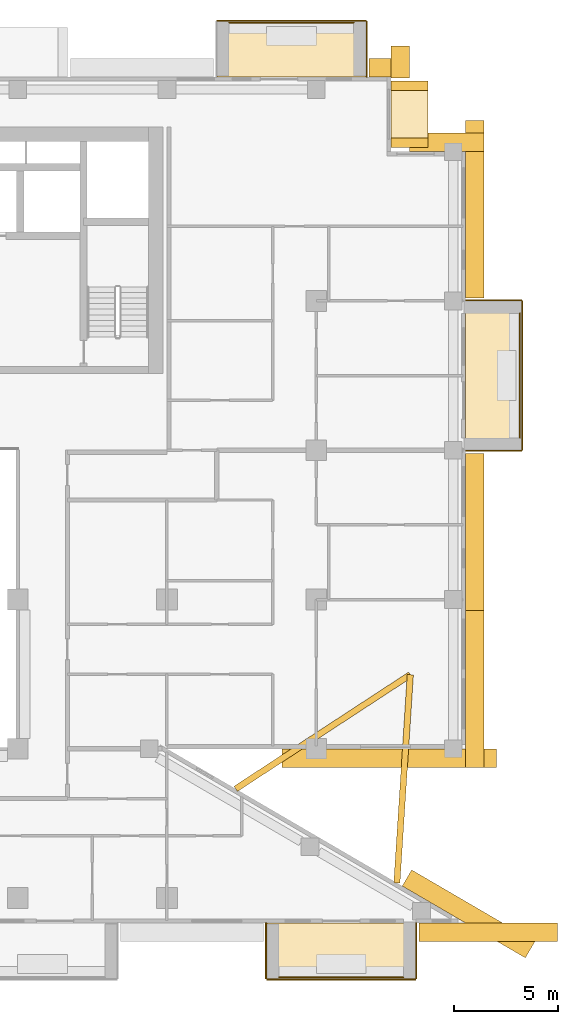
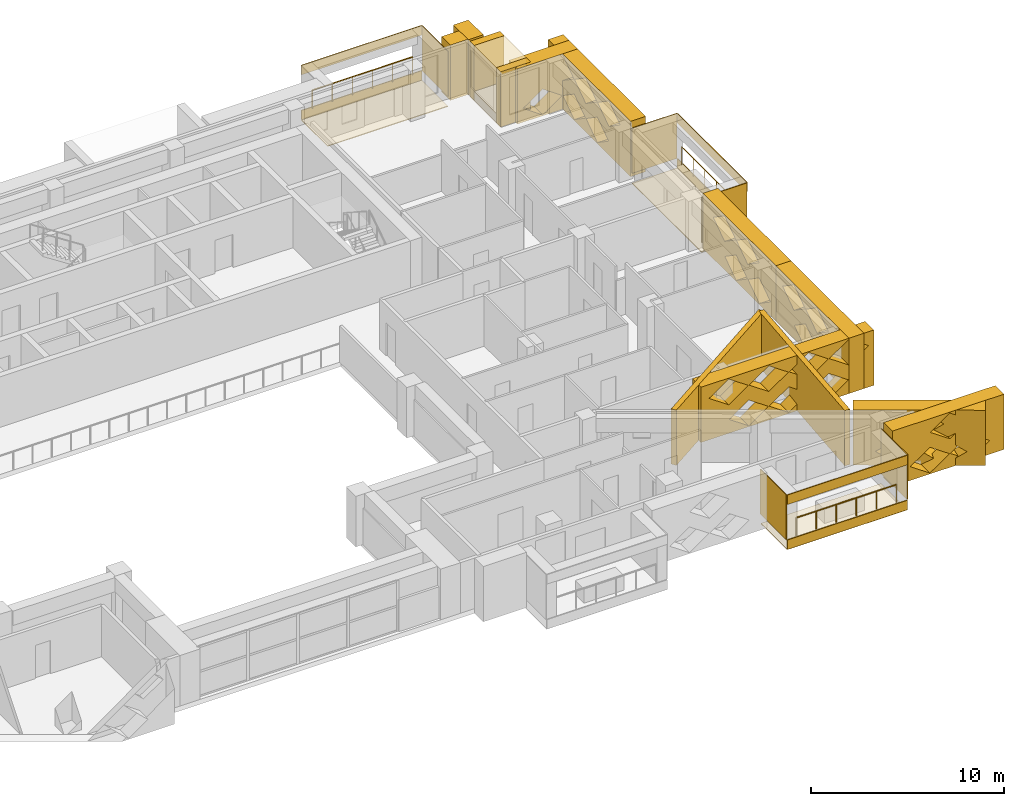
# One storey, part 20 of 20: 29 coverings, 3 railings.
"""IFC4 building model written with IfcOpenShell, lengths in metres."""

from ifc_helpers import new_model, si_unit, direction, frame, origin, origin_2d, place, context, subcontext, project, spatial, polyline, circle, outline, extrude, material, layer, layer_set, type_object, element, save


model = new_model("IFC4")

# Units and contexts
model_context = context("Model", 3, precision=1e-05, world=origin(), true_north=direction((0.0, 1.0)))
body_context = subcontext(model_context, "Body", "Model", "MODEL_VIEW")
ifc_project = project(units=[si_unit("LENGTHUNIT", "METRE"), si_unit("AREAUNIT", "SQUARE_METRE"), si_unit("VOLUMEUNIT", "CUBIC_METRE"), si_unit("PLANEANGLEUNIT", "RADIAN"), si_unit("MASSUNIT", "GRAM", prefix="KILO")], contexts=[model_context])

# Site, building, storey
site_placement = place(None, origin())
site = spatial("IfcSite", under=ifc_project, at=site_placement, CompositionType="ELEMENT")
building_placement = place(site_placement, origin())
building = spatial("IfcBuilding", under=site, at=building_placement, Name="Saffron Iwan Residences", CompositionType="ELEMENT")
storey_placement = place(building_placement, frame((0.0, 0.0, 171.0)))
storey = spatial("IfcBuildingStorey", under=building, at=storey_placement, Name="L45", CompositionType="ELEMENT", Elevation=171.0)

# Railings
ifc_material_1 = material(Name="Stainless steel 316", Category="steel")
railing_type = type_object("IfcRailingType", Name="BALCONY GUARD 1150", PredefinedType="GUARDRAIL", material=ifc_material_1)
railing_1_placement = place(storey_placement, frame((89.02490234375, 63.0, 0.0)))
element("IfcRailing", 1, at=railing_1_placement, inside=storey, type_object=railing_type, Name="Balcony guard L45 F2-0", PredefinedType="GUARDRAIL", context=body_context, shape_type="SweptSolid", body=[
    extrude(circle(Radius=0.02392578125, at=origin_2d()), frame((0.0, 0.0, 1.1259765625), z_axis=(0.0, 1.0, 0.0), x_axis=(-1.0, 0.0, 0.0)), (0.0, 0.0, 1.0), 6.0),
    extrude(circle(Radius=0.02099609375, at=origin_2d()), origin(), (0.0, 0.0, 1.0), 1.101806640625),
    extrude(circle(Radius=0.02099609375, at=origin_2d()), frame((0.0, 1.199951171875, 0.0)), (0.0, 0.0, 1.0), 1.101806640625),
    extrude(circle(Radius=0.02099609375, at=origin_2d()), frame((0.0, 2.39990234375, 0.0)), (0.0, 0.0, 1.0), 1.101806640625),
    extrude(circle(Radius=0.02099609375, at=origin_2d()), frame((0.0, 3.60009765625, 0.0)), (0.0, 0.0, 1.0), 1.101806640625),
    extrude(circle(Radius=0.02099609375, at=origin_2d()), frame((0.0, 4.800048828125, 0.0)), (0.0, 0.0, 1.0), 1.101806640625),
    extrude(circle(Radius=0.02099609375, at=origin_2d()), frame((0.0, 6.0, 0.0)), (0.0, 0.0, 1.0), 1.101806640625),
])
railing_2_placement = place(storey_placement, frame((81.0, 83.02490234375, 0.0)))
element("IfcRailing", 2, at=railing_2_placement, inside=storey, type_object=railing_type, Name="Balcony guard L45 F5-0", PredefinedType="GUARDRAIL", context=body_context, shape_type="SweptSolid", body=[
    extrude(circle(Radius=0.02392578125, at=origin_2d()), frame((0.0, 0.0, 1.1259765625), z_axis=(-1.0, 0.0, 0.0), x_axis=(0.0, -1.0, 0.0)), (0.0, 0.0, 1.0), 6.0),
    extrude(circle(Radius=0.02099609375, at=origin_2d()), origin(), (0.0, 0.0, 1.0), 1.101806640625),
    extrude(circle(Radius=0.02099609375, at=origin_2d()), frame((-1.199951171875, 0.0, 0.0)), (0.0, 0.0, 1.0), 1.101806640625),
    extrude(circle(Radius=0.02099609375, at=origin_2d()), frame((-2.39990234375, 0.0, 0.0)), (0.0, 0.0, 1.0), 1.101806640625),
    extrude(circle(Radius=0.02099609375, at=origin_2d()), frame((-3.60009765625, 0.0, 0.0)), (0.0, 0.0, 1.0), 1.101806640625),
    extrude(circle(Radius=0.02099609375, at=origin_2d()), frame((-4.800048828125, 0.0, 0.0)), (0.0, 0.0, 1.0), 1.101806640625),
    extrude(circle(Radius=0.02099609375, at=origin_2d()), frame((-6.0, 0.0, 0.0)), (0.0, 0.0, 1.0), 1.101806640625),
])
railing_3_placement = place(storey_placement, frame((77.39990234375, 36.97509765625, 0.0)))
element("IfcRailing", 3, at=railing_3_placement, inside=storey, type_object=railing_type, Name="Balcony guard L45 11-3", PredefinedType="GUARDRAIL", context=body_context, shape_type="SweptSolid", body=[
    extrude(circle(Radius=0.02392578125, at=origin_2d()), frame((0.0, 0.0, 1.1259765625), z_axis=(1.0, 0.0, 0.0), x_axis=(0.0, 1.0, 0.0)), (0.0, 0.0, 1.0), 6.0),
    extrude(circle(Radius=0.02099609375, at=origin_2d()), origin(), (0.0, 0.0, 1.0), 1.101806640625),
    extrude(circle(Radius=0.02099609375, at=origin_2d()), frame((1.199951171875, 0.0, 0.0)), (0.0, 0.0, 1.0), 1.101806640625),
    extrude(circle(Radius=0.02099609375, at=origin_2d()), frame((2.39990234375, 0.0, 0.0)), (0.0, 0.0, 1.0), 1.101806640625),
    extrude(circle(Radius=0.02099609375, at=origin_2d()), frame((3.60009765625, 0.0, 0.0)), (0.0, 0.0, 1.0), 1.101806640625),
    extrude(circle(Radius=0.02099609375, at=origin_2d()), frame((4.800048828125, 0.0, 0.0)), (0.0, 0.0, 1.0), 1.101806640625),
    extrude(circle(Radius=0.02099609375, at=origin_2d()), frame((6.0, 0.0, 0.0)), (0.0, 0.0, 1.0), 1.101806640625),
])

# Coverings
ifc_material_2 = material(Name="Precast concrete C40/50 white painted", Category="concrete")
ifc_layer_1 = layer(ifc_material_2, 0.050048828125)
ifc_layer_set_1 = layer_set([ifc_layer_1], Name="Precast concrete C40/50 white painted")
covering_type_1 = type_object("IfcCoveringType", Name="FRAME SKIN PRECAST WHITE 50", PredefinedType="CLADDING", material=ifc_layer_set_1)
for number, where, name in (
    (4, (0.0, 0.0, -0.60009765625), "Frame skin slab edge L45 F2-0"),
    (5, (0.0, 0.0, 2.25), "Frame skin fascia L45 F2-0"),
):
    element("IfcCovering", number, at=place(storey_placement, frame(where)), inside=storey, type_object=covering_type_1, Name=name, PredefinedType="CLADDING", context=body_context, shape_type="SweptSolid", body=[
        extrude(outline(polyline([(89.14990234375, 62.39990234375), (89.14990234375, 69.60009765625), (89.10009765625, 69.60009765625), (89.10009765625, 62.39990234375), (89.14990234375, 62.39990234375)])), origin(), (0.0, 0.0, 1.0), 0.60009765625),
    ])
covering_1_placement = place(storey_placement, frame((0.0, 0.0, -0.64990234375)))
element("IfcCovering", 6, at=covering_1_placement, inside=storey, type_object=covering_type_1, Name="Frame skin soffit L45 F2-0", PredefinedType="CLADDING", context=body_context, shape_type="SweptSolid", body=[
    extrude(outline(polyline([(89.10009765625, 62.39990234375), (89.10009765625, 69.60009765625), (86.39990234375, 69.60009765625), (86.39990234375, 62.39990234375), (89.10009765625, 62.39990234375)])), origin(), (0.0, 0.0, 1.0), 0.0498046875),
])
covering_2_placement = place(storey_placement, origin())
element("IfcCovering", 7, at=covering_2_placement, inside=storey, type_object=covering_type_1, Name="Frame skin fin L45 F2-0a", PredefinedType="CLADDING", context=body_context, shape_type="SweptSolid", body=[
    extrude(outline(polyline([(89.10009765625, 62.35009765625), (89.10009765625, 62.39990234375), (86.39990234375, 62.39990234375), (86.39990234375, 62.35009765625), (89.10009765625, 62.35009765625)])), origin(), (0.0, 0.0, 1.0), 2.85009765625),
])
covering_3_placement = place(storey_placement, origin())
element("IfcCovering", 8, at=covering_3_placement, inside=storey, type_object=covering_type_1, Name="Frame skin fin L45 F2-0b", PredefinedType="CLADDING", context=body_context, shape_type="SweptSolid", body=[
    extrude(outline(polyline([(89.10009765625, 69.60009765625), (89.10009765625, 69.64990234375), (86.39990234375, 69.64990234375), (86.39990234375, 69.60009765625), (89.10009765625, 69.60009765625)])), origin(), (0.0, 0.0, 1.0), 2.85009765625),
])
for number, where, name in (
    (9, (0.0, 0.0, -0.60009765625), "Frame skin slab edge L45 F5-0"),
    (10, (0.0, 0.0, 2.25), "Frame skin fascia L45 F5-0"),
):
    element("IfcCovering", number, at=place(storey_placement, frame(where)), inside=storey, type_object=covering_type_1, Name=name, PredefinedType="CLADDING", context=body_context, shape_type="SweptSolid", body=[
        extrude(outline(polyline([(81.60009765625, 83.14990234375), (74.39990234375, 83.14990234375), (74.39990234375, 83.10009765625), (81.60009765625, 83.10009765625), (81.60009765625, 83.14990234375)])), origin(), (0.0, 0.0, 1.0), 0.60009765625),
    ])
covering_4_placement = place(storey_placement, frame((0.0, 0.0, -0.64990234375)))
element("IfcCovering", 11, at=covering_4_placement, inside=storey, type_object=covering_type_1, Name="Frame skin soffit L45 F5-0", PredefinedType="CLADDING", context=body_context, shape_type="SweptSolid", body=[
    extrude(outline(polyline([(81.60009765625, 83.10009765625), (74.39990234375, 83.10009765625), (74.39990234375, 80.39990234375), (81.60009765625, 80.39990234375), (81.60009765625, 83.10009765625)])), origin(), (0.0, 0.0, 1.0), 0.0498046875),
])
covering_5_placement = place(storey_placement, origin())
element("IfcCovering", 12, at=covering_5_placement, inside=storey, type_object=covering_type_1, Name="Frame skin fin L45 F5-0a", PredefinedType="CLADDING", context=body_context, shape_type="SweptSolid", body=[
    extrude(outline(polyline([(81.64990234375, 83.10009765625), (81.60009765625, 83.10009765625), (81.60009765625, 80.39990234375), (81.64990234375, 80.39990234375), (81.64990234375, 83.10009765625)])), origin(), (0.0, 0.0, 1.0), 2.85009765625),
])
for number, where, name in (
    (13, (0.0, 0.0, -0.60009765625), "Frame skin slab edge L45 11-3"),
    (14, (0.0, 0.0, 2.25), "Frame skin fascia L45 11-3"),
):
    element("IfcCovering", number, at=place(storey_placement, frame(where)), inside=storey, type_object=covering_type_1, Name=name, PredefinedType="CLADDING", context=body_context, shape_type="SweptSolid", body=[
        extrude(outline(polyline([(76.800048828125, 36.85009765625), (84.0, 36.85009765625), (84.0, 36.89990234375), (76.800048828125, 36.89990234375), (76.800048828125, 36.85009765625)])), origin(), (0.0, 0.0, 1.0), 0.60009765625),
    ])
covering_6_placement = place(storey_placement, frame((0.0, 0.0, -0.64990234375)))
element("IfcCovering", 15, at=covering_6_placement, inside=storey, type_object=covering_type_1, Name="Frame skin soffit L45 11-3", PredefinedType="CLADDING", context=body_context, shape_type="SweptSolid", body=[
    extrude(outline(polyline([(76.800048828125, 36.89990234375), (84.0, 36.89990234375), (84.0, 39.60009765625), (76.800048828125, 39.60009765625), (76.800048828125, 36.89990234375)])), origin(), (0.0, 0.0, 1.0), 0.0498046875),
])
covering_7_placement = place(storey_placement, origin())
element("IfcCovering", 16, at=covering_7_placement, inside=storey, type_object=covering_type_1, Name="Frame skin fin L45 11-3a", PredefinedType="CLADDING", context=body_context, shape_type="SweptSolid", body=[
    extrude(outline(polyline([(76.75, 36.89990234375), (76.800048828125, 36.89990234375), (76.800048828125, 39.60009765625), (76.75, 39.60009765625), (76.75, 36.89990234375)])), origin(), (0.0, 0.0, 1.0), 2.85009765625),
])
covering_8_placement = place(storey_placement, origin())
element("IfcCovering", 17, at=covering_8_placement, inside=storey, type_object=covering_type_1, Name="Frame skin fin L45 11-3b", PredefinedType="CLADDING", context=body_context, shape_type="SweptSolid", body=[
    extrude(outline(polyline([(84.0, 36.89990234375), (84.050048828125, 36.89990234375), (84.050048828125, 39.60009765625), (84.0, 39.60009765625), (84.0, 36.89990234375)])), origin(), (0.0, 0.0, 1.0), 2.85009765625),
])
ifc_material_3 = material(Name="Precast concrete C40/50", Category="concrete")
covering_type_2 = type_object("IfcCoveringType", Name="OUTER SKIN LATTICE SCREEN", PredefinedType="CLADDING", material=ifc_material_3)
covering_9_placement = place(storey_placement, frame((89.283935546875, 37.917724609375, -0.300048828125), z_axis=(0.503803550485, 0.863818257806, 0.0), x_axis=(-0.863818257806, 0.503803550485, 0.0)))
element("IfcCovering", 18, at=covering_9_placement, inside=storey, type_object=covering_type_2, Name="OUTER SKIN lattice screen L45 F0.0", PredefinedType="CLADDING", context=body_context, shape_type="SweptSolid", body=[
    extrude(outline(polyline([(0.0, 0.0), (6.874267578125, 0.0), (6.874267578125, 3.5), (0.0, 3.5), (0.0, 0.0)]), holes=[polyline([(0.958740234375, 0.875), (2.138671875, 0.06005859375), (3.318603515625, 0.875), (2.138671875, 1.68994140625), (0.958740234375, 0.875)]), polyline([(3.358642578125, 0.875), (4.538818359375, 0.06005859375), (5.71875, 0.875), (4.538818359375, 1.68994140625), (3.358642578125, 0.875)]), polyline([(2.15869140625, 2.625), (3.338623046875, 1.81005859375), (4.518798828125, 2.625), (3.338623046875, 3.43994140625), (2.15869140625, 2.625)])]), origin(), (0.0, 0.0, 1.0), 0.89990234375),
])
covering_10_placement = place(storey_placement, frame((77.538818359375, 48.0, -0.300048828125), z_axis=(0.0, -1.0, 0.0), x_axis=(1.0, 0.0, 0.0)))
element("IfcCovering", 19, at=covering_10_placement, inside=storey, type_object=covering_type_2, Name="OUTER SKIN lattice screen L45 F1.0", PredefinedType="CLADDING", context=body_context, shape_type="SweptSolid", body=[
    extrude(outline(polyline([(0.0, 0.0), (10.361328125, 0.0), (10.361328125, 3.5), (0.0, 3.5), (0.0, 0.0)]), holes=[polyline([(1.681396484375, 0.875), (2.861328125, 0.06005859375), (4.041259765625, 0.875), (2.861328125, 1.68994140625), (1.681396484375, 0.875)]), polyline([(4.081298828125, 0.875), (5.26123046875, 0.06005859375), (6.44140625, 0.875), (5.26123046875, 1.68994140625), (4.081298828125, 0.875)]), polyline([(6.481201171875, 0.875), (7.661376953125, 0.06005859375), (8.84130859375, 0.875), (7.661376953125, 1.68994140625), (6.481201171875, 0.875)]), polyline([(0.481201171875, 2.625), (1.661376953125, 1.81005859375), (2.84130859375, 2.625), (1.661376953125, 3.43994140625), (0.481201171875, 2.625)]), polyline([(2.88134765625, 2.625), (4.061279296875, 1.81005859375), (5.2412109375, 2.625), (4.061279296875, 3.43994140625), (2.88134765625, 2.625)]), polyline([(5.28125, 2.625), (6.461181640625, 1.81005859375), (7.641357421875, 2.625), (6.461181640625, 3.43994140625), (5.28125, 2.625)]), polyline([(7.681396484375, 2.625), (8.861328125, 1.81005859375), (10.041259765625, 2.625), (8.861328125, 3.43994140625), (7.681396484375, 2.625)])]), origin(), (0.0, 0.0, 1.0), 0.89990234375),
])
covering_11_placement = place(storey_placement, frame((86.39990234375, 47.10009765625, -0.300048828125), z_axis=(1.0, 0.0, 0.0), x_axis=(0.0, 1.0, 0.0)))
element("IfcCovering", 20, at=covering_11_placement, inside=storey, type_object=covering_type_2, Name="OUTER SKIN lattice screen L45 F2.0", PredefinedType="CLADDING", context=body_context, shape_type="SweptSolid", body=[
    extrude(outline(polyline([(0.0, 0.0), (7.574951171875, 0.0), (7.574951171875, 3.5), (0.0, 3.5), (0.0, 0.0)]), holes=[polyline([(0.919921875, 0.875), (2.10009765625, 0.06005859375), (3.280029296875, 0.875), (2.10009765625, 1.68994140625), (0.919921875, 0.875)]), polyline([(3.320068359375, 0.875), (4.5, 0.06005859375), (5.679931640625, 0.875), (4.5, 1.68994140625), (3.320068359375, 0.875)]), polyline([(2.1201171875, 2.625), (3.300048828125, 1.81005859375), (4.47998046875, 2.625), (3.300048828125, 3.43994140625), (2.1201171875, 2.625)]), polyline([(4.52001953125, 2.625), (5.699951171875, 1.81005859375), (6.8798828125, 2.625), (5.699951171875, 3.43994140625), (4.52001953125, 2.625)])]), origin(), (0.0, 0.0, 1.0), 0.900146484375),
])
covering_12_placement = place(storey_placement, frame((86.39990234375, 54.675048828125, -0.300048828125), z_axis=(1.0, 0.0, 0.0), x_axis=(0.0, 1.0, 0.0)))
element("IfcCovering", 21, at=covering_12_placement, inside=storey, type_object=covering_type_2, Name="OUTER SKIN lattice screen L45 F2.1", PredefinedType="CLADDING", context=body_context, shape_type="SweptSolid", body=[
    extrude(outline(polyline([(0.0, 0.0), (7.574951171875, 0.0), (7.574951171875, 3.5), (0.0, 3.5), (0.0, 0.0)]), holes=[polyline([(0.544921875, 0.875), (1.72509765625, 0.06005859375), (2.905029296875, 0.875), (1.72509765625, 1.68994140625), (0.544921875, 0.875)]), polyline([(2.945068359375, 0.875), (4.125, 0.06005859375), (5.304931640625, 0.875), (4.125, 1.68994140625), (2.945068359375, 0.875)]), polyline([(1.7451171875, 2.625), (2.925048828125, 1.81005859375), (4.10498046875, 2.625), (2.925048828125, 3.43994140625), (1.7451171875, 2.625)]), polyline([(4.14501953125, 2.625), (5.324951171875, 1.81005859375), (6.5048828125, 2.625), (5.324951171875, 3.43994140625), (4.14501953125, 2.625)])]), origin(), (0.0, 0.0, 1.0), 0.900146484375),
])
covering_13_placement = place(storey_placement, frame((86.39990234375, 69.75, -0.300048828125), z_axis=(1.0, 0.0, 0.0), x_axis=(0.0, 1.0, 0.0)))
element("IfcCovering", 22, at=covering_13_placement, inside=storey, type_object=covering_type_2, Name="OUTER SKIN lattice screen L45 F2.2", PredefinedType="CLADDING", context=body_context, shape_type="SweptSolid", body=[
    extrude(outline(polyline([(0.0, 0.0), (8.550048828125, 0.0), (8.550048828125, 3.5), (0.0, 3.5), (0.0, 0.0)]), holes=[polyline([(2.27001953125, 0.875), (3.449951171875, 0.06005859375), (4.6298828125, 0.875), (3.449951171875, 1.68994140625), (2.27001953125, 0.875)]), polyline([(4.669921875, 0.875), (5.85009765625, 0.06005859375), (7.030029296875, 0.875), (5.85009765625, 1.68994140625), (4.669921875, 0.875)]), polyline([(1.070068359375, 2.625), (2.25, 1.81005859375), (3.429931640625, 2.625), (2.25, 3.43994140625), (1.070068359375, 2.625)]), polyline([(3.469970703125, 2.625), (4.64990234375, 1.81005859375), (5.830078125, 2.625), (4.64990234375, 3.43994140625), (3.469970703125, 2.625)]), polyline([(5.8701171875, 2.625), (7.050048828125, 1.81005859375), (8.22998046875, 2.625), (7.050048828125, 3.43994140625), (5.8701171875, 2.625)])]), origin(), (0.0, 0.0, 1.0), 0.900146484375),
])
covering_14_placement = place(storey_placement, frame((87.300048828125, 76.800048828125, -0.300048828125), z_axis=(0.0, 1.0, 0.0), x_axis=(-1.0, 0.0, 0.0)))
element("IfcCovering", 23, at=covering_14_placement, inside=storey, type_object=covering_type_2, Name="OUTER SKIN lattice screen L45 F3.0", PredefinedType="CLADDING", context=body_context, shape_type="SweptSolid", body=[
    extrude(outline(polyline([(0.0, 0.0), (3.60009765625, 0.0), (3.60009765625, 3.5), (0.0, 3.5), (0.0, 0.0)]), holes=[polyline([(0.919921875, 0.875), (2.10009765625, 0.06005859375), (3.280029296875, 0.875), (2.10009765625, 1.68994140625), (0.919921875, 0.875)])]), origin(), (0.0, 0.0, 1.0), 0.89990234375),
])
covering_15_placement = place(storey_placement, frame((82.800048828125, 80.35009765625, -0.300048828125), z_axis=(1.0, 0.0, 0.0), x_axis=(0.0, 1.0, 0.0)))
element("IfcCovering", 24, at=covering_15_placement, inside=storey, type_object=covering_type_2, Name="OUTER SKIN lattice screen L45 F4.0", PredefinedType="CLADDING", context=body_context, shape_type="SweptSolid", body=[
    extrude(outline(polyline([(0.0, 0.0), (1.550048828125, 0.0), (1.550048828125, 3.5), (0.0, 3.5), (0.0, 0.0)])), origin(), (0.0, 0.0, 1.0), 0.89990234375),
])
covering_16_placement = place(storey_placement, frame((83.699951171875, 80.39990234375, -0.300048828125), z_axis=(0.0, 1.0, 0.0), x_axis=(-1.0, 0.0, 0.0)))
element("IfcCovering", 25, at=covering_16_placement, inside=storey, type_object=covering_type_2, Name="OUTER SKIN lattice screen L45 F5.0", PredefinedType="CLADDING", context=body_context, shape_type="SweptSolid", body=[
    extrude(outline(polyline([(0.0, 0.0), (1.949951171875, 0.0), (1.949951171875, 3.5), (0.0, 3.5), (0.0, 0.0)])), origin(), (0.0, 0.0, 1.0), 0.900146484375),
])
covering_17_placement = place(storey_placement, frame((84.14990234375, 39.60009765625, -0.300048828125), z_axis=(0.0, -1.0, 0.0), x_axis=(1.0, 0.0, 0.0)))
element("IfcCovering", 26, at=covering_17_placement, inside=storey, type_object=covering_type_2, Name="OUTER SKIN lattice screen L45 F11.5", PredefinedType="CLADDING", context=body_context, shape_type="SweptSolid", body=[
    extrude(outline(polyline([(0.0, 0.0), (6.688720703125, 0.0), (6.688720703125, 3.5), (0.0, 3.5), (0.0, 0.0)]), holes=[polyline([(1.070068359375, 0.875), (2.25, 0.06005859375), (3.429931640625, 0.875), (2.25, 1.68994140625), (1.070068359375, 0.875)]), polyline([(3.469970703125, 0.875), (4.64990234375, 0.06005859375), (5.830078125, 0.875), (4.64990234375, 1.68994140625), (3.469970703125, 0.875)]), polyline([(2.27001953125, 2.625), (3.449951171875, 1.81005859375), (4.6298828125, 2.625), (3.449951171875, 3.43994140625), (2.27001953125, 2.625)])]), origin(), (0.0, 0.0, 1.0), 0.900146484375),
])
ifc_layer_2 = layer(ifc_material_2, 0.300048828125)
ifc_layer_set_2 = layer_set([ifc_layer_2], Name="Precast concrete C40/50 white painted")
covering_type_3 = type_object("IfcCoveringType", Name="PROW NOSE BLADE PRECAST WHITE", PredefinedType="CLADDING", material=ifc_layer_set_2)
covering_18_placement = place(storey_placement, frame((0.0, 0.0, -0.300048828125)))
element("IfcCovering", 27, at=covering_18_placement, inside=storey, type_object=covering_type_3, Name="Prow nose blade L45 a", PredefinedType="CLADDING", context=body_context, shape_type="SweptSolid", body=[
    extrude(outline(polyline([(83.23681640625, 41.52294921875), (83.884521484375, 51.564453125), (83.585205078125, 51.583740234375), (82.937255859375, 41.542236328125), (83.23681640625, 41.52294921875)])), origin(), (0.0, 0.0, 1.0), 3.5),
])
covering_19_placement = place(storey_placement, frame((0.0, 0.0, -0.300048828125)))
element("IfcCovering", 28, at=covering_19_placement, inside=storey, type_object=covering_type_3, Name="Prow nose blade L45 b", PredefinedType="CLADDING", context=body_context, shape_type="SweptSolid", body=[
    extrude(outline(polyline([(75.39501953125, 45.94189453125), (83.81689453125, 51.448486328125), (83.65283203125, 51.69970703125), (75.23095703125, 46.193115234375), (75.39501953125, 45.94189453125)])), origin(), (0.0, 0.0, 1.0), 3.5),
])
covering_type_4 = type_object("IfcCoveringType", Name="WHITE SUN FRAME PRECAST", PredefinedType="CLADDING", material=ifc_material_2)
for number, where, z_axis, x_axis, name in (
    (29, (82.800048828125, 77.0, -0.300048828125), (1.0, 0.0, 0.0), (0.0, 1.0, 0.0), "Sun frame L45 F4 0.2a"),
    (30, (82.800048828125, 79.75, -0.300048828125), (1.0, 0.0, 0.0), (0.0, 1.0, 0.0), "Sun frame L45 F4 0.2b"),
):
    element("IfcCovering", number, at=place(storey_placement, frame(where, z_axis=z_axis, x_axis=x_axis)), inside=storey, type_object=covering_type_4, Name=name, PredefinedType="CLADDING", context=body_context, shape_type="SweptSolid", body=[
        extrude(outline(polyline([(0.0, 0.0), (0.449951171875, 0.0), (0.449951171875, 3.5), (0.0, 3.5), (0.0, 0.0)])), origin(), (0.0, 0.0, 1.0), 1.800048828125),
    ])
for number, where, z_axis, x_axis, name in (
    (31, (82.800048828125, 77.449951171875, 2.60009765625), (1.0, 0.0, 0.0), (0.0, 1.0, 0.0), "Sun frame L45 F4 0.2h"),
    (32, (82.800048828125, 77.449951171875, -0.300048828125), (1.0, 0.0, 0.0), (0.0, 1.0, 0.0), "Sun frame L45 F4 0.2s"),
):
    element("IfcCovering", number, at=place(storey_placement, frame(where, z_axis=z_axis, x_axis=x_axis)), inside=storey, type_object=covering_type_4, Name=name, PredefinedType="CLADDING", context=body_context, shape_type="SweptSolid", body=[
        extrude(outline(polyline([(0.0, 0.0), (2.300048828125, 0.0), (2.300048828125, 0.60009765625), (0.0, 0.60009765625), (0.0, 0.0)])), origin(), (0.0, 0.0, 1.0), 1.800048828125),
    ])

save(model, "model.ifc")
